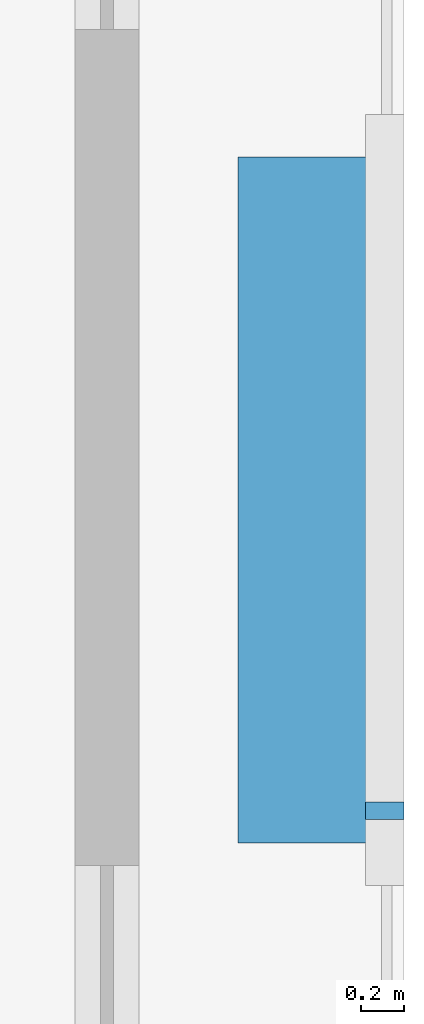
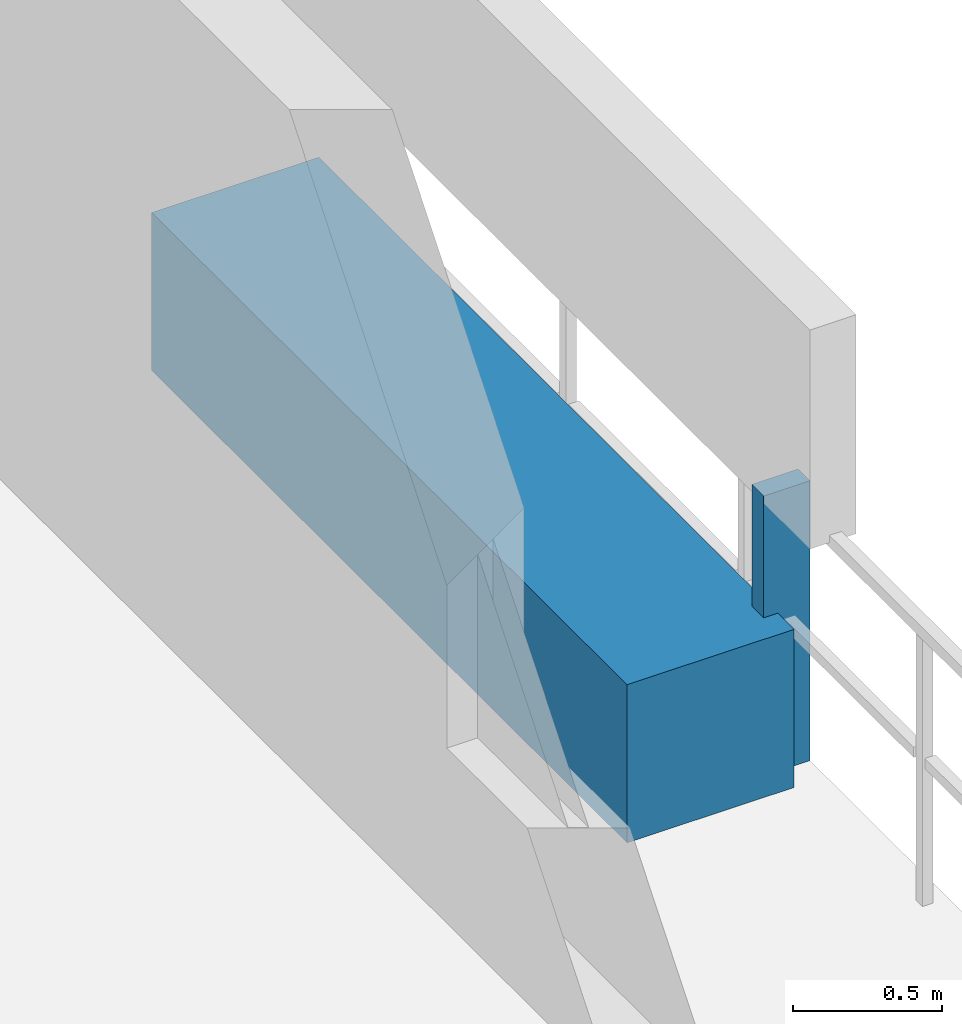
# One storey, part 31 of 35: 2 discrete accessories.
"""IFC4 building model written with IfcOpenShell, lengths in metres."""

import ifcopenshell
import ifcopenshell.guid

model = None  # the IFC model being written
_history = None  # IfcOwnerHistory: only IFC2X3 demands one
_inside = {}  # id of a spatial element -> (the spatial element, [elements in it])
_under = {}  # id of a project, library or spatial element -> (it, [spatial elements below it])
_declared = {}  # id of a project -> (the project, [libraries it declares])
_typed = {}  # id of a type object -> (the type object, [elements of that type])
_made_of = {}  # id of a material, layer set ... -> (it, [elements and type objects made of it])


def new_model(schema):
    """Start an empty IFC model of exactly this schema.

    Asked for "IFC4X3", IfcOpenShell would pick the latest addendum, in which some entities
    have other attributes; the version numbers below select the first issue.
    IFC2X3 requires an IfcOwnerHistory on every rooted entity: one is made here for all.
    """
    global model, _history
    if schema == "IFC4X3":
        model = ifcopenshell.file(schema_version=(4, 3, 0, 0))
    else:
        model = ifcopenshell.file(schema=schema)
    _inside.clear()
    _under.clear()
    _declared.clear()
    _typed.clear()
    _made_of.clear()
    _history = None
    if model.schema == "IFC2X3":
        org = make("IfcOrganization", Name="unknown")
        user = make(
            "IfcPersonAndOrganization",
            ThePerson=make("IfcPerson", FamilyName="unknown"),
            TheOrganization=org,
        )
        app = make(
            "IfcApplication",
            ApplicationDeveloper=org,
            Version="unknown",
            ApplicationFullName="unknown",
            ApplicationIdentifier="unknown",
        )
        _history = make(
            "IfcOwnerHistory",
            OwningUser=user,
            OwningApplication=app,
            ChangeAction="ADDED",
            CreationDate=0,
        )
    return model


def make(cls, **values):
    """One entity of the class cls with the attributes given. An attribute that is None is left unset."""
    return model.create_entity(
        cls, **{name: value for name, value in values.items() if value is not None}
    )


def rooted(cls, **values):
    """An entity with a GlobalId (a new one), such as an element, a storey or a relation."""
    return make(cls, GlobalId=ifcopenshell.guid.new(), OwnerHistory=_history, **values)


def si_unit(unit_type, name, prefix=None):
    """IfcSIUnit, for example si_unit("LENGTHUNIT", "METRE", prefix="MILLI")."""
    return make("IfcSIUnit", UnitType=unit_type, Prefix=prefix, Name=name)


def assignment(units):
    """IfcUnitAssignment: the units of a project."""
    return None if units is None else make("IfcUnitAssignment", Units=units)


def point(xyz):
    """IfcCartesianPoint."""
    return None if xyz is None else make("IfcCartesianPoint", Coordinates=xyz)


def direction(xyz):
    """IfcDirection."""
    return None if xyz is None else make("IfcDirection", DirectionRatios=xyz)


def frame(location, z_axis=None, x_axis=None):
    """IfcAxis2Placement3D, a coordinate frame: its origin and axes. An axis left out is left unset."""
    return make(
        "IfcAxis2Placement3D",
        Location=point(location),
        Axis=direction(z_axis),
        RefDirection=direction(x_axis),
    )


def frame_2d(location, x_axis=None):
    """IfcAxis2Placement2D, a coordinate frame in the plane: its origin and x axis."""
    return make(
        "IfcAxis2Placement2D", Location=point(location), RefDirection=direction(x_axis)
    )


def origin():
    """The frame at (0, 0, 0) with its axes left unset."""
    return frame((0.0, 0.0, 0.0))


def origin_2d():
    """The frame at (0, 0) in the plane with its x axis left unset."""
    return frame_2d((0.0, 0.0))


def place(relative_to, where):
    """IfcLocalPlacement: puts the frame where relative to a parent placement (None: the world)."""
    return make(
        "IfcLocalPlacement", PlacementRelTo=relative_to, RelativePlacement=where
    )


def context(
    kind, dimensions, precision=None, world=None, true_north=None, identifier=None
):
    """IfcGeometricRepresentationContext, for example the 3D "Model" context."""
    return make(
        "IfcGeometricRepresentationContext",
        ContextIdentifier=identifier,
        ContextType=kind,
        CoordinateSpaceDimension=dimensions,
        Precision=precision,
        WorldCoordinateSystem=world,
        TrueNorth=true_north,
    )


def subcontext(parent, identifier, kind, view, scale=None):
    """IfcGeometricRepresentationSubContext, for example "Body" below "Model"."""
    return make(
        "IfcGeometricRepresentationSubContext",
        ContextIdentifier=identifier,
        ContextType=kind,
        ParentContext=parent,
        TargetScale=scale,
        TargetView=view,
    )


def project(units=None, contexts=None):
    """IfcProject with its units and contexts."""
    return rooted(
        "IfcProject",
        Name="project",
        RepresentationContexts=contexts,
        UnitsInContext=assignment(units),
    )


def spatial(cls, under=None, at=None, **own):
    """A site, building, storey or space (cls), placed at a placement, below another one or the project."""
    s = rooted(cls, ObjectPlacement=at, **own)
    if under is not None:
        _under.setdefault(under.id(), (under, []))[1].append(s)
    return s


def profile(cls, at=None, kind="AREA", **sizes):
    """A parametric profile (cls). Its sizes go by their IFC names, for example OverallWidth=200.0."""
    return make(cls, ProfileType=kind, Position=at, **sizes)


def rectangle(**sizes):
    """IfcRectangleProfileDef."""
    return profile("IfcRectangleProfileDef", **sizes)


def extrude(swept, where, along, depth):
    """IfcExtrudedAreaSolid: the profile swept, set in the frame where, extruded along a direction by depth."""
    return make(
        "IfcExtrudedAreaSolid",
        SweptArea=swept,
        Position=where,
        ExtrudedDirection=direction(along),
        Depth=depth,
    )


def shape(context_of_items, identifier, shape_type, items):
    """IfcShapeRepresentation: the items that make up one representation, for example the "Body"."""
    return make(
        "IfcShapeRepresentation",
        ContextOfItems=context_of_items,
        RepresentationIdentifier=identifier,
        RepresentationType=shape_type,
        Items=items,
    )


def material(Name=None, Category=None):
    """IfcMaterial."""
    return make("IfcMaterial", Name=Name, Category=Category)


def made_of(thing, what):
    """Note that an element or type object is made of a material, layer set ...; save() writes the relation."""
    if what is not None:
        _made_of.setdefault(what.id(), (what, []))[1].append(thing)
    return thing


def type_object(cls, material=None, **own):
    """A type object (cls), such as IfcWallType, which elements share."""
    return made_of(rooted(cls, **own), material)


def element(
    cls,
    number,
    at=None,
    inside=None,
    cuts=None,
    type_object=None,
    material=None,
    context=None,
    identifier="Body",
    shape_type=None,
    held_by="IfcProductDefinitionShape",
    body=None,
    shapes=None,
    **own,
):
    """One element of the class cls, such as IfcWall. Its Tag is "e" and its number.

    at: its placement. inside: the storey or other place that contains it. cuts: it is an
    opening in that element (IfcRelVoidsElement). A single representation is given by context,
    identifier, shape_type and body (its items); several are given by shapes. held_by: the class
    of the entity that holds the representations. save() writes the other relations.
    """
    e = rooted(cls, Tag="e%d" % number, ObjectPlacement=at, **own)
    if body is not None:
        shapes = [shape(context, identifier, shape_type, body)]
    if shapes is not None:
        e.Representation = make(held_by, Representations=shapes)
    if inside is not None:
        _inside.setdefault(inside.id(), (inside, []))[1].append(e)
    if cuts is not None:
        rooted(
            "IfcRelVoidsElement", RelatingBuildingElement=cuts, RelatedOpeningElement=e
        )
    if type_object is not None:
        _typed.setdefault(type_object.id(), (type_object, []))[1].append(e)
    return made_of(e, material)


def aggregate(whole, parts):
    """IfcRelAggregates: a whole, such as a stair, and the parts it consists of."""
    return rooted("IfcRelAggregates", RelatingObject=whole, RelatedObjects=parts)


def save(model, path):
    """Write the relations noted so far, then the file.

    IfcRelAggregates (storeys below a building ...), IfcRelContainedInSpatialStructure (elements
    in a storey), IfcRelDefinesByType, IfcRelAssociatesMaterial and IfcRelDeclares: one each for
    every whole, place, type object, material and project.
    """
    for whole, parts in _under.values():
        aggregate(whole, parts)
    for where, things in _inside.values():
        rooted(
            "IfcRelContainedInSpatialStructure",
            RelatedElements=things,
            RelatingStructure=where,
        )
    for kind, things in _typed.values():
        rooted("IfcRelDefinesByType", RelatedObjects=things, RelatingType=kind)
    for what, things in _made_of.values():
        rooted("IfcRelAssociatesMaterial", RelatedObjects=things, RelatingMaterial=what)
    for by, libraries in _declared.values():
        rooted("IfcRelDeclares", RelatingContext=by, RelatedDefinitions=libraries)
    model.write(path)


model = new_model("IFC4")

# Units and contexts
model_context = context("Model", 3, precision=1e-05, world=origin(), true_north=direction((0.0, 1.0)))
body_context = subcontext(model_context, "Body", "Model", "MODEL_VIEW")
ifc_project = project(units=[si_unit("LENGTHUNIT", "METRE"), si_unit("AREAUNIT", "SQUARE_METRE"), si_unit("VOLUMEUNIT", "CUBIC_METRE"), si_unit("PLANEANGLEUNIT", "RADIAN"), si_unit("MASSUNIT", "GRAM", prefix="KILO")], contexts=[model_context])

# Site, building, storey
site_placement = place(None, origin())
site = spatial("IfcSite", under=ifc_project, at=site_placement, CompositionType="ELEMENT")
building_placement = place(site_placement, origin())
building = spatial("IfcBuilding", under=site, at=building_placement, Name="Thornwick Lancets Civic Towers", CompositionType="ELEMENT")
storey_placement = place(building_placement, frame((0.0, 0.0, 272.699951171875)))
storey = spatial("IfcBuildingStorey", under=building, at=storey_placement, Name="L73", CompositionType="ELEMENT", Elevation=272.699951171875)

# Discrete accessories
ifc_material_1 = material(Name="Planted terracotta greenery planter", Category="masonry")
discrete_accessory_type_1 = type_object("IfcDiscreteAccessoryType", Name="ACC_PLANTER_BOX", PredefinedType="USERDEFINED", material=ifc_material_1)
discrete_accessory_1_placement = place(storey_placement, frame((113.199951171875, 27.0, 0.0), z_axis=(0.0, 0.0, 1.0), x_axis=(1.0, 0.0, 0.0)))
element("IfcDiscreteAccessory", 1, at=discrete_accessory_1_placement, inside=storey, type_object=discrete_accessory_type_1, Name="L73 Tower B Balcony Greenery Planter E", ObjectType="PLANTER", PredefinedType="USERDEFINED", context=body_context, shape_type="SweptSolid", body=[
    extrude(rectangle(XDim=0.64990234375, YDim=3.199951171875, at=origin_2d()), origin(), (0.0, 0.0, 1.0), 0.64990234375),
])
ifc_material_2 = material(Name="Stainless steel S355", Category="steel")
discrete_accessory_type_2 = type_object("IfcDiscreteAccessoryType", Name="ACC_SCREEN_BRACKET", PredefinedType="BRACKET", material=ifc_material_2)
discrete_accessory_2_placement = place(storey_placement, frame((113.56005859375, 25.550048828125, 0.0), z_axis=(0.0, 0.0, 1.0), x_axis=(0.0, 1.0, 0.0)))
element("IfcDiscreteAccessory", 2, at=discrete_accessory_2_placement, inside=storey, type_object=discrete_accessory_type_2, Name="L73 Tower B Balcony Screen Stanchion Bracket E-1", PredefinedType="BRACKET", context=body_context, shape_type="SweptSolid", body=[
    extrude(rectangle(XDim=0.080078125, YDim=0.179931640625, at=origin_2d()), origin(), (0.0, 0.0, 1.0), 1.14990234375),
])

save(model, "model.ifc")
